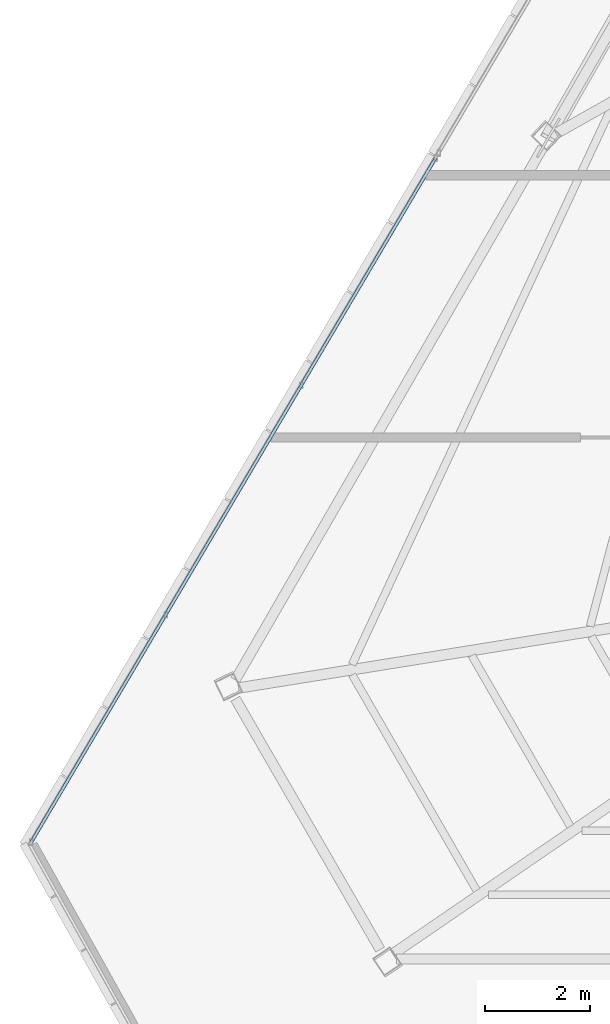
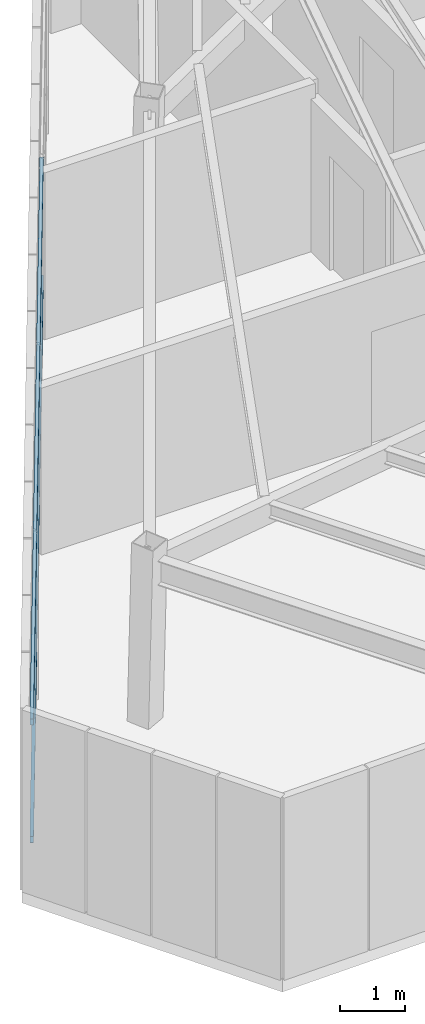
# One storey, part 8 of 44: 2 members, 1 element without a shape of its own.
"""IFC4 building model written with IfcOpenShell, lengths in metres."""

from ifc_helpers import new_model, si_unit, direction, frame, origin, origin_2d, place, context, subcontext, project, spatial, hollow_rectangle, extrude, source, transform, mapped, material, material_profile, profile_set, type_object, type_shapes, element, aggregate, save


model = new_model("IFC4")

# Units and contexts
model_context = context("Model", 3, precision=1e-05, world=origin(), true_north=direction((0.0, 1.0)))
body_context = subcontext(model_context, "Body", "Model", "MODEL_VIEW")
ifc_project = project(units=[si_unit("LENGTHUNIT", "METRE"), si_unit("AREAUNIT", "SQUARE_METRE"), si_unit("VOLUMEUNIT", "CUBIC_METRE"), si_unit("PLANEANGLEUNIT", "RADIAN"), si_unit("MASSUNIT", "GRAM", prefix="KILO")], contexts=[model_context])

# Site, building, storey
site_placement = place(None, origin())
site = spatial("IfcSite", under=ifc_project, at=site_placement, CompositionType="ELEMENT")
building_placement = place(site_placement, origin())
building = spatial("IfcBuilding", under=site, at=building_placement, Name="Caelisora Broadcast Tower", CompositionType="ELEMENT")
storey_placement = place(building_placement, frame((0.0, 0.0, 289.800048828125)))
storey = spatial("IfcBuildingStorey", under=building, at=storey_placement, Name="L76", CompositionType="ELEMENT", Elevation=289.800048828125)

# Curtain wall, members
ifc_material_1 = material(Name="Unitised Aluminium Insulated Shadow-Box Spandrel Curtain Wall", Category="aluminium")
curtain_wall_type = type_object("IfcCurtainWallType", Name="CW-SP3", PredefinedType="NOTDEFINED", material=ifc_material_1)
curtain_wall_placement = place(storey_placement, origin())
curtain_wall = element("IfcCurtainWall", 1, at=curtain_wall_placement, inside=storey, type_object=curtain_wall_type, Name="L76 curtain wall CW-SP3", PredefinedType="NOTDEFINED")
ifc_material_2 = material(Name="Aluminium 6063-T6 Anodised Terracotta Bronze", Category="aluminium")
ifc_material_profile = material_profile(ifc_material_2, hollow_rectangle(XDim=0.06005859375, YDim=0.1201171875, WallThickness=0.0029296875, at=origin_2d()), Name="Aluminium 6063-T6 Anodised Terracotta Bronze")
ifc_profile_set = profile_set([ifc_material_profile], Name="Aluminium 6063-T6 Anodised Terracotta Bronze")
member_type = type_object("IfcMemberType", Name="CWT-03", PredefinedType="USERDEFINED", material=ifc_profile_set)
shared_shape = source(origin(), body_context, "Body", "SweptSolid", [
    extrude(hollow_rectangle(XDim=0.06005859375, YDim=0.1201171875, WallThickness=0.0029296875, at=origin_2d()), origin(), (0.0, 0.0, 1.0), 15.14501953125),
])
type_shapes(member_type, [shared_shape])
member_1_placement = place(storey_placement, frame((13.040283203125, 12.2900390625, 0.849853515625), z_axis=(0.508752122092, 0.860913049191, 0.0), x_axis=(-0.860913049191, 0.508752122092, 0.0)))
member_1 = element("IfcMember", 2, at=member_1_placement, type_object=member_type, Name="L76-CW-B09 transom #1", ObjectType="TRANSOM", PredefinedType="USERDEFINED", context=body_context, shape_type="MappedRepresentation", body=[
    mapped(shared_shape, transform((0.0, 0.0, 0.0), scale=1.0)),
])
member_2_placement = place(storey_placement, frame((13.040283203125, 12.2900390625, 3.070068359375), z_axis=(0.508752122092, 0.860913049191, 0.0), x_axis=(-0.860913049191, 0.508752122092, 0.0)))
member_2 = element("IfcMember", 3, at=member_2_placement, type_object=member_type, Name="L76-CW-B09 transom #2", ObjectType="TRANSOM", PredefinedType="USERDEFINED", context=body_context, shape_type="MappedRepresentation", body=[
    mapped(shared_shape, transform((0.0, 0.0, 0.0), scale=1.0)),
])
aggregate(curtain_wall, [member_1, member_2])

save(model, "model.ifc")
